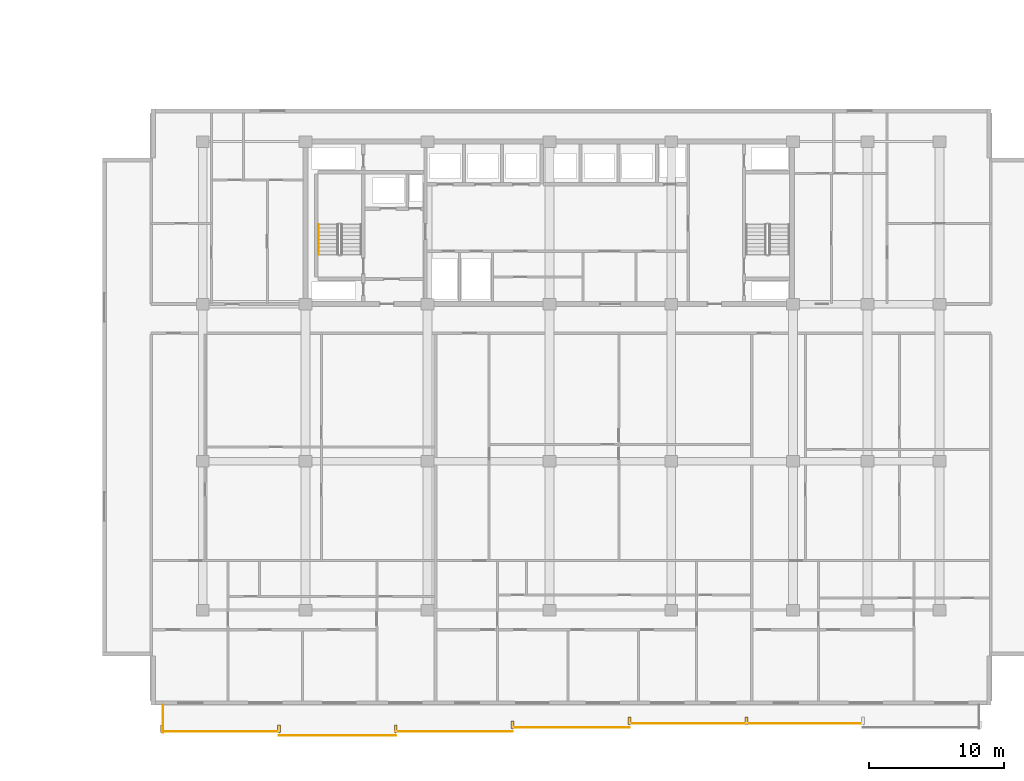
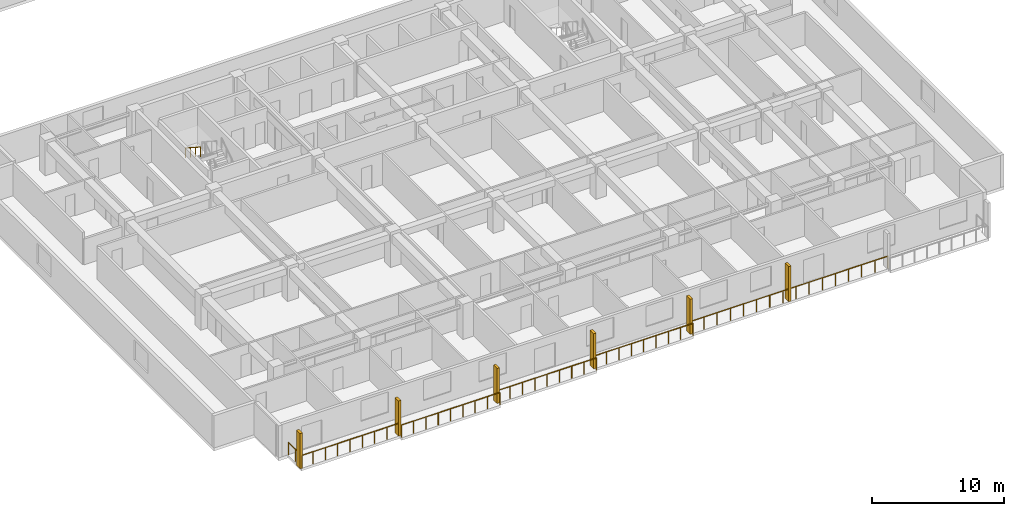
# One storey, part 19 of 23: 7 railings, 6 shading devices.
"""IFC4 building model written with IfcOpenShell, lengths in metres."""

from ifc_helpers import new_model, si_unit, direction, frame, origin, origin_2d, place, context, subcontext, project, spatial, rectangle, circle, extrude, material, type_object, element, save


model = new_model("IFC4")

# Units and contexts
model_context = context("Model", 3, precision=1e-05, world=origin(), true_north=direction((0.0, 1.0)))
body_context = subcontext(model_context, "Body", "Model", "MODEL_VIEW")
ifc_project = project(units=[si_unit("LENGTHUNIT", "METRE"), si_unit("AREAUNIT", "SQUARE_METRE"), si_unit("VOLUMEUNIT", "CUBIC_METRE"), si_unit("PLANEANGLEUNIT", "RADIAN"), si_unit("MASSUNIT", "GRAM", prefix="KILO")], contexts=[model_context])

# Site, building, storey
site_placement = place(None, origin())
site = spatial("IfcSite", under=ifc_project, at=site_placement, CompositionType="ELEMENT")
building_placement = place(site_placement, origin())
building = spatial("IfcBuilding", under=site, at=building_placement, Name="Korimba Cascade Residences", CompositionType="ELEMENT")
storey_placement = place(building_placement, frame((0.0, 0.0, 59.75)))
storey = spatial("IfcBuildingStorey", under=building, at=storey_placement, Name="L16", CompositionType="ELEMENT", Elevation=59.75)

# Railings
ifc_material_1 = material(Name="Laminated Glass and Bronze Balustrade", Category="glass")
railing_type_1 = type_object("IfcRailingType", Name="RLG-LOG-1150", PredefinedType="BALUSTRADE", material=ifc_material_1)
railing_1_placement = place(storey_placement, frame((71.5, -13.169921875, 0.0)))
element("IfcRailing", 1, at=railing_1_placement, inside=storey, type_object=railing_type_1, Name="L16 Perimeter Guardrail RLG-L16-T2-LOG-01", PredefinedType="BALUSTRADE", context=body_context, shape_type="SweptSolid", body=[
    extrude(circle(Radius=0.02392578125, at=origin_2d()), frame((0.0, 0.0, 1.1259765625), z_axis=(1.0, 0.0, 0.0), x_axis=(0.0, 1.0, 0.0)), (0.0, 0.0, 1.0), 8.628662109375),
    extrude(circle(Radius=0.02099609375, at=origin_2d()), origin(), (0.0, 0.0, 1.0), 1.101806640625),
    extrude(circle(Radius=0.02099609375, at=origin_2d()), frame((1.07861328125, 0.0, 0.0)), (0.0, 0.0, 1.0), 1.101806640625),
    extrude(circle(Radius=0.02099609375, at=origin_2d()), frame((2.1572265625, 0.0, 0.0)), (0.0, 0.0, 1.0), 1.101806640625),
    extrude(circle(Radius=0.02099609375, at=origin_2d()), frame((3.23583984375, 0.0, 0.0)), (0.0, 0.0, 1.0), 1.101806640625),
    extrude(circle(Radius=0.02099609375, at=origin_2d()), frame((4.314453125, 0.0, 0.0)), (0.0, 0.0, 1.0), 1.101806640625),
    extrude(circle(Radius=0.02099609375, at=origin_2d()), frame((5.392822265625, 0.0, 0.0)), (0.0, 0.0, 1.0), 1.101806640625),
    extrude(circle(Radius=0.02099609375, at=origin_2d()), frame((6.471435546875, 0.0, 0.0)), (0.0, 0.0, 1.0), 1.101806640625),
    extrude(circle(Radius=0.02099609375, at=origin_2d()), frame((7.550048828125, 0.0, 0.0)), (0.0, 0.0, 1.0), 1.101806640625),
    extrude(circle(Radius=0.02099609375, at=origin_2d()), frame((8.628662109375, 0.0, 0.0)), (0.0, 0.0, 1.0), 1.101806640625),
])
railing_2_placement = place(storey_placement, frame((80.128662109375, -13.469970703125, 0.0)))
element("IfcRailing", 2, at=railing_2_placement, inside=storey, type_object=railing_type_1, Name="L16 Perimeter Guardrail RLG-L16-T2-LOG-02", PredefinedType="BALUSTRADE", context=body_context, shape_type="SweptSolid", body=[
    extrude(circle(Radius=0.02392578125, at=origin_2d()), frame((0.0, 0.0, 1.1259765625), z_axis=(1.0, 0.0, 0.0), x_axis=(0.0, 1.0, 0.0)), (0.0, 0.0, 1.0), 8.62841796875),
    extrude(circle(Radius=0.02099609375, at=origin_2d()), origin(), (0.0, 0.0, 1.0), 1.101806640625),
    extrude(circle(Radius=0.02099609375, at=origin_2d()), frame((1.07861328125, 0.0, 0.0)), (0.0, 0.0, 1.0), 1.101806640625),
    extrude(circle(Radius=0.02099609375, at=origin_2d()), frame((2.1572265625, 0.0, 0.0)), (0.0, 0.0, 1.0), 1.101806640625),
    extrude(circle(Radius=0.02099609375, at=origin_2d()), frame((3.235595703125, 0.0, 0.0)), (0.0, 0.0, 1.0), 1.101806640625),
    extrude(circle(Radius=0.02099609375, at=origin_2d()), frame((4.314208984375, 0.0, 0.0)), (0.0, 0.0, 1.0), 1.101806640625),
    extrude(circle(Radius=0.02099609375, at=origin_2d()), frame((5.392822265625, 0.0, 0.0)), (0.0, 0.0, 1.0), 1.101806640625),
    extrude(circle(Radius=0.02099609375, at=origin_2d()), frame((6.47119140625, 0.0, 0.0)), (0.0, 0.0, 1.0), 1.101806640625),
    extrude(circle(Radius=0.02099609375, at=origin_2d()), frame((7.5498046875, 0.0, 0.0)), (0.0, 0.0, 1.0), 1.101806640625),
    extrude(circle(Radius=0.02099609375, at=origin_2d()), frame((8.62841796875, 0.0, 0.0)), (0.0, 0.0, 1.0), 1.101806640625),
])
for number, where, name in (
    (3, (88.757080078125, -13.169921875, 0.0), "L16 Perimeter Guardrail RLG-L16-T2-LOG-03"),
    (4, (97.3857421875, -12.8701171875, 0.0), "L16 Perimeter Guardrail RLG-L16-T2-LOG-04"),
):
    element("IfcRailing", number, at=place(storey_placement, frame(where)), inside=storey, type_object=railing_type_1, Name=name, PredefinedType="BALUSTRADE", context=body_context, shape_type="SweptSolid", body=[
        extrude(circle(Radius=0.02392578125, at=origin_2d()), frame((0.0, 0.0, 1.1259765625), z_axis=(1.0, 0.0, 0.0), x_axis=(0.0, 1.0, 0.0)), (0.0, 0.0, 1.0), 8.628662109375),
        extrude(circle(Radius=0.02099609375, at=origin_2d()), origin(), (0.0, 0.0, 1.0), 1.101806640625),
        extrude(circle(Radius=0.02099609375, at=origin_2d()), frame((1.07861328125, 0.0, 0.0)), (0.0, 0.0, 1.0), 1.101806640625),
        extrude(circle(Radius=0.02099609375, at=origin_2d()), frame((2.1572265625, 0.0, 0.0)), (0.0, 0.0, 1.0), 1.101806640625),
        extrude(circle(Radius=0.02099609375, at=origin_2d()), frame((3.23583984375, 0.0, 0.0)), (0.0, 0.0, 1.0), 1.101806640625),
        extrude(circle(Radius=0.02099609375, at=origin_2d()), frame((4.314453125, 0.0, 0.0)), (0.0, 0.0, 1.0), 1.101806640625),
        extrude(circle(Radius=0.02099609375, at=origin_2d()), frame((5.392822265625, 0.0, 0.0)), (0.0, 0.0, 1.0), 1.101806640625),
        extrude(circle(Radius=0.02099609375, at=origin_2d()), frame((6.471435546875, 0.0, 0.0)), (0.0, 0.0, 1.0), 1.101806640625),
        extrude(circle(Radius=0.02099609375, at=origin_2d()), frame((7.550048828125, 0.0, 0.0)), (0.0, 0.0, 1.0), 1.101806640625),
        extrude(circle(Radius=0.02099609375, at=origin_2d()), frame((8.628662109375, 0.0, 0.0)), (0.0, 0.0, 1.0), 1.101806640625),
    ])
railing_3_placement = place(storey_placement, frame((106.014404296875, -12.570068359375, 0.0)))
element("IfcRailing", 5, at=railing_3_placement, inside=storey, type_object=railing_type_1, Name="L16 Perimeter Guardrail RLG-L16-T2-LOG-05", PredefinedType="BALUSTRADE", context=body_context, shape_type="SweptSolid", body=[
    extrude(circle(Radius=0.02392578125, at=origin_2d()), frame((0.0, 0.0, 1.1259765625), z_axis=(1.0, 0.0, 0.0), x_axis=(0.0, 1.0, 0.0)), (0.0, 0.0, 1.0), 17.257080078125),
    extrude(circle(Radius=0.02099609375, at=origin_2d()), origin(), (0.0, 0.0, 1.0), 1.101806640625),
    extrude(circle(Radius=0.02099609375, at=origin_2d()), frame((1.150390625, 0.0, 0.0)), (0.0, 0.0, 1.0), 1.101806640625),
    extrude(circle(Radius=0.02099609375, at=origin_2d()), frame((2.301025390625, 0.0, 0.0)), (0.0, 0.0, 1.0), 1.101806640625),
    extrude(circle(Radius=0.02099609375, at=origin_2d()), frame((3.451416015625, 0.0, 0.0)), (0.0, 0.0, 1.0), 1.101806640625),
    extrude(circle(Radius=0.02099609375, at=origin_2d()), frame((4.601806640625, 0.0, 0.0)), (0.0, 0.0, 1.0), 1.101806640625),
    extrude(circle(Radius=0.02099609375, at=origin_2d()), frame((5.75244140625, 0.0, 0.0)), (0.0, 0.0, 1.0), 1.101806640625),
    extrude(circle(Radius=0.02099609375, at=origin_2d()), frame((6.90283203125, 0.0, 0.0)), (0.0, 0.0, 1.0), 1.101806640625),
    extrude(circle(Radius=0.02099609375, at=origin_2d()), frame((8.05322265625, 0.0, 0.0)), (0.0, 0.0, 1.0), 1.101806640625),
    extrude(circle(Radius=0.02099609375, at=origin_2d()), frame((9.203857421875, 0.0, 0.0)), (0.0, 0.0, 1.0), 1.101806640625),
    extrude(circle(Radius=0.02099609375, at=origin_2d()), frame((10.354248046875, 0.0, 0.0)), (0.0, 0.0, 1.0), 1.101806640625),
    extrude(circle(Radius=0.02099609375, at=origin_2d()), frame((11.504638671875, 0.0, 0.0)), (0.0, 0.0, 1.0), 1.101806640625),
    extrude(circle(Radius=0.02099609375, at=origin_2d()), frame((12.6552734375, 0.0, 0.0)), (0.0, 0.0, 1.0), 1.101806640625),
    extrude(circle(Radius=0.02099609375, at=origin_2d()), frame((13.8056640625, 0.0, 0.0)), (0.0, 0.0, 1.0), 1.101806640625),
    extrude(circle(Radius=0.02099609375, at=origin_2d()), frame((14.9560546875, 0.0, 0.0)), (0.0, 0.0, 1.0), 1.101806640625),
    extrude(circle(Radius=0.02099609375, at=origin_2d()), frame((16.106689453125, 0.0, 0.0)), (0.0, 0.0, 1.0), 1.101806640625),
    extrude(circle(Radius=0.02099609375, at=origin_2d()), frame((17.257080078125, 0.0, 0.0)), (0.0, 0.0, 1.0), 1.101806640625),
])
railing_4_placement = place(storey_placement, frame((71.580078125, -11.199951171875, 0.0)))
element("IfcRailing", 6, at=railing_4_placement, inside=storey, type_object=railing_type_1, Name="L16 Perimeter Guardrail RLG-L16-T2-LOG-08", PredefinedType="BALUSTRADE", context=body_context, shape_type="SweptSolid", body=[
    extrude(circle(Radius=0.02392578125, at=origin_2d()), frame((0.0, 0.0, 1.1259765625), z_axis=(0.0, -1.0, 0.0), x_axis=(1.0, 0.0, 0.0)), (0.0, 0.0, 1.0), 2.050048828125),
    extrude(circle(Radius=0.02099609375, at=origin_2d()), origin(), (0.0, 0.0, 1.0), 1.101806640625),
    extrude(circle(Radius=0.02099609375, at=origin_2d()), frame((0.0, -1.02490234375, 0.0)), (0.0, 0.0, 1.0), 1.101806640625),
    extrude(circle(Radius=0.02099609375, at=origin_2d()), frame((0.0, -2.050048828125, 0.0)), (0.0, 0.0, 1.0), 1.101806640625),
])
ifc_material_2 = material(Name="Brushed Stainless Steel Handrail", Category="steel")
railing_type_2 = type_object("IfcRailingType", Name="RLG-ST-HR900", PredefinedType="HANDRAIL", material=ifc_material_2)
railing_5_placement = place(storey_placement, frame((83.050048828125, 24.2900390625, 1.989990234375)))
element("IfcRailing", 7, at=railing_5_placement, inside=storey, type_object=railing_type_2, Name="L16 ST-E1 stair handrail 2", PredefinedType="HANDRAIL", context=body_context, shape_type="SweptSolid", body=[
    extrude(circle(Radius=0.02392578125, at=origin_2d()), frame((0.0, 0.0, 0.8759765625), z_axis=(0.0, -0.840436612492, 0.541909863706), x_axis=(1.0, 0.0, 0.0)), (0.0, 0.0, 1.0), 2.665283203125),
    extrude(circle(Radius=0.02099609375, at=origin_2d()), origin(), (0.0, 0.0, 1.0), 0.851806640625),
    extrude(circle(Radius=0.02099609375, at=origin_2d()), frame((0.0, -0.74658203125, 0.4814453125)), (0.0, 0.0, 1.0), 0.851806640625),
    extrude(circle(Radius=0.02099609375, at=origin_2d()), frame((0.0, -1.493408203125, 0.962890625)), (0.0, 0.0, 1.0), 0.851806640625),
    extrude(circle(Radius=0.02099609375, at=origin_2d()), frame((0.0, -2.239990234375, 1.4443359375)), (0.0, 0.0, 1.0), 0.851806640625),
])

# Shading devices
ifc_material_3 = material(Name="Honed Sandstone Precast Fin", Category="masonry")
shading_device_type = type_object("IfcShadingDeviceType", Name="SHD-FIN-550", PredefinedType="USERDEFINED", material=ifc_material_3)
for number, where, z_axis, x_axis, name in (
    (8, (71.5, -12.97509765625, 0.0), (0.0, 0.0, 1.0), (1.0, 0.0, 0.0), "L16 T2 Warm-Stone Loggia Fin 1"),
    (9, (80.128662109375, -12.97509765625, 0.0), (0.0, 0.0, 1.0), (1.0, 0.0, 0.0), "L16 T2 Warm-Stone Loggia Fin 2"),
    (10, (88.757080078125, -12.97509765625, 0.0), (0.0, 0.0, 1.0), (1.0, 0.0, 0.0), "L16 T2 Warm-Stone Loggia Fin 3"),
    (11, (97.3857421875, -12.675048828125, 0.0), (0.0, 0.0, 1.0), (1.0, 0.0, 0.0), "L16 T2 Warm-Stone Loggia Fin 4"),
    (12, (106.014404296875, -12.375, 0.0), (0.0, 0.0, 1.0), (1.0, 0.0, 0.0), "L16 T2 Warm-Stone Loggia Fin 5"),
    (13, (114.642822265625, -12.375, 0.0), (0.0, 0.0, 1.0), (1.0, 0.0, 0.0), "L16 T2 Warm-Stone Loggia Fin 6"),
):
    element("IfcShadingDevice", number, at=place(storey_placement, frame(where, z_axis=z_axis, x_axis=x_axis)), inside=storey, type_object=shading_device_type, Name=name, ObjectType="FIN", PredefinedType="USERDEFINED", context=body_context, shape_type="SweptSolid", body=[
        extrude(rectangle(XDim=0.219970703125, YDim=0.550048828125, at=origin_2d()), origin(), (0.0, 0.0, 1.0), 3.25),
    ])

save(model, "model.ifc")
